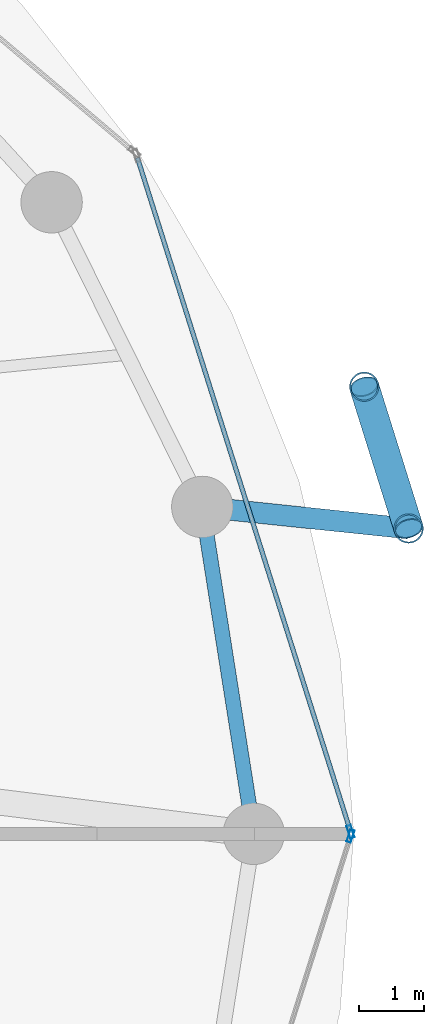
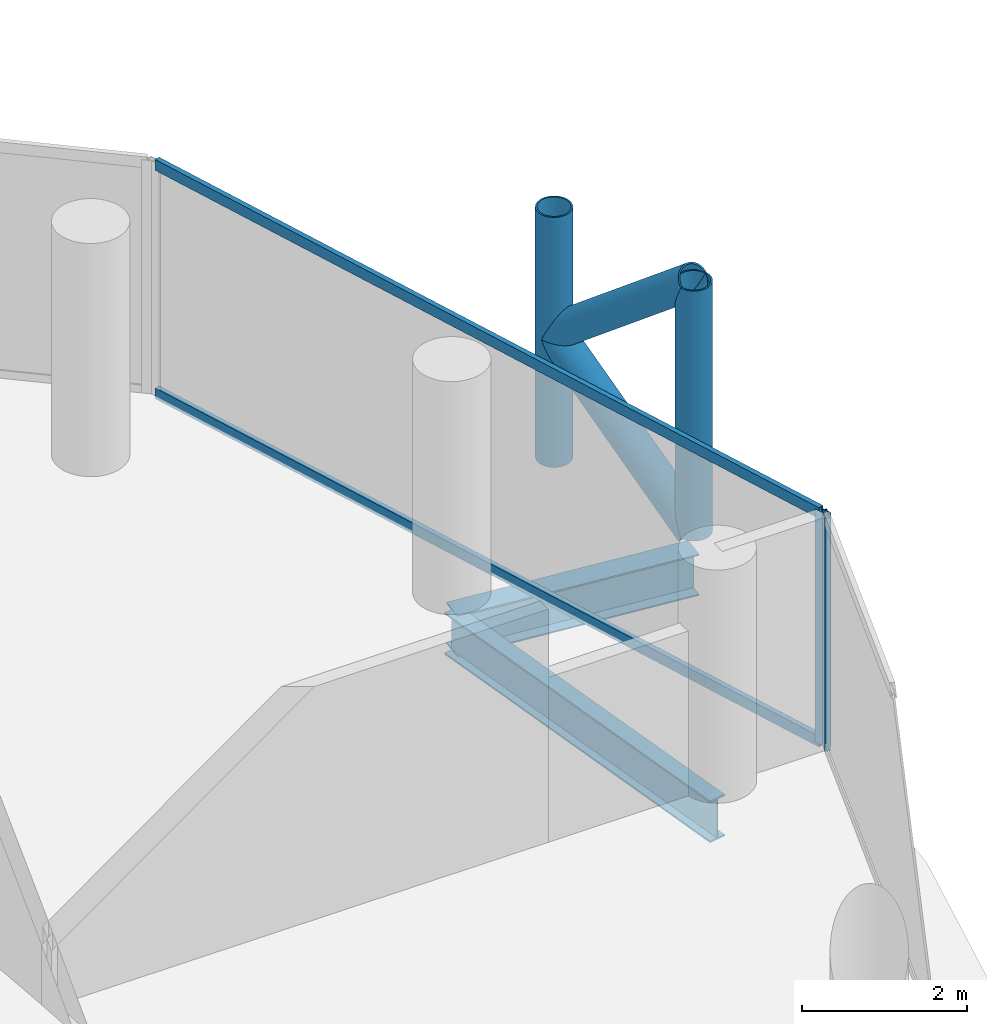
# One storey, part 12 of 26: 8 members, 2 beams, 2 elements without a shape of their own.
"""IFC4 building model written with IfcOpenShell, lengths in metres."""

from ifc_helpers import new_model, si_unit, direction, frame, origin, origin_2d, place, context, subcontext, project, spatial, hollow_rectangle, hollow_circle, i_section, extrude, material, layer, layer_set, material_profile, profile_set, type_object, element, aggregate, save


model = new_model("IFC4")

# Units and contexts
model_context = context("Model", 3, precision=1e-05, world=origin(), true_north=direction((0.0, 1.0)))
body_context = subcontext(model_context, "Body", "Model", "MODEL_VIEW")
ifc_project = project(units=[si_unit("LENGTHUNIT", "METRE"), si_unit("AREAUNIT", "SQUARE_METRE"), si_unit("VOLUMEUNIT", "CUBIC_METRE"), si_unit("PLANEANGLEUNIT", "RADIAN"), si_unit("MASSUNIT", "GRAM", prefix="KILO")], contexts=[model_context])

# Site, building, storey
site_placement = place(None, origin())
site = spatial("IfcSite", under=ifc_project, at=site_placement, CompositionType="ELEMENT")
building_placement = place(site_placement, origin())
building = spatial("IfcBuilding", under=site, at=building_placement, Name="Nuhasar Tower", CompositionType="ELEMENT")
storey_placement = place(building_placement, frame((0.0, 0.0, 155.25)))
storey = spatial("IfcBuildingStorey", under=building, at=storey_placement, Name="L37", CompositionType="ELEMENT", Elevation=155.25)

# Beams
ifc_material_1 = material(Name="Steel S355", Category="steel")
ifc_material_profile_1 = material_profile(ifc_material_1, i_section(OverallWidth=0.22998046875, OverallDepth=0.616943359375, WebThickness=0.01318359375, FlangeThickness=0.022216796875, at=origin_2d()), Name="W24X94")
ifc_profile_set_1 = profile_set([ifc_material_profile_1], Name="Steel S355")
beam_type_1 = type_object("IfcBeamType", Name="BM-RING-W24X94", PredefinedType="SPANDREL", material=ifc_profile_set_1)
beam_1_placement = place(storey_placement, frame((62.35009765625, 26.800048828125, -0.55908203125), z_axis=(-0.155426543608, 0.987847452566, 0.0), x_axis=(-0.987847452566, -0.155426543608, 0.0)))
element("IfcBeam", 1, at=beam_1_placement, inside=storey, type_object=beam_type_1, Name="L37 Perimeter Ring Spandrel 01", PredefinedType="SPANDREL", context=body_context, shape_type="SweptSolid", body=[
    extrude(i_section(OverallWidth=0.22998046875, OverallDepth=0.616943359375, WebThickness=0.01318359375, FlangeThickness=0.022216796875, at=origin_2d()), origin(), (0.0, 0.0, 1.0), 5.122314453125),
])
ifc_material_profile_2 = material_profile(ifc_material_1, i_section(OverallWidth=0.323974609375, OverallDepth=0.611083984375, WebThickness=0.0126953125, FlangeThickness=0.01904296875, at=origin_2d()), Name="W24X104")
ifc_profile_set_2 = profile_set([ifc_material_profile_2], Name="Steel S355")
beam_type_2 = type_object("IfcBeamType", Name="BM-TIE-W24X104", PredefinedType="BEAM", material=ifc_profile_set_2)
beam_2_placement = place(storey_placement, frame((61.553955078125, 31.860107421875, -0.554931640625), z_axis=(0.994569828715, -0.104071397654, 0.0), x_axis=(0.104071397654, 0.994569828715, 0.0)))
element("IfcBeam", 2, at=beam_2_placement, inside=storey, type_object=beam_type_2, Name="L37 Exoskeleton Node Tie Beam 01", PredefinedType="BEAM", context=body_context, shape_type="SweptSolid", body=[
    extrude(i_section(OverallWidth=0.323974609375, OverallDepth=0.611083984375, WebThickness=0.0126953125, FlangeThickness=0.01904296875, at=origin_2d()), origin(), (0.0, 0.0, 1.0), 3.21142578125),
])

# Curtain wall, member
ifc_material_2 = material(Name="Aluminium 6063-T6", Category="aluminium")
ifc_layer = layer(ifc_material_2, 0.199951171875)
ifc_layer_set = layer_set([ifc_layer], Name="Aluminium 6063-T6")
curtain_wall_type = type_object("IfcCurtainWallType", Name="CW-Z2-HTL", PredefinedType="NOTDEFINED", material=ifc_layer_set)
curtain_wall_1_placement = place(storey_placement, origin())
curtain_wall_1 = element("IfcCurtainWall", 3, at=curtain_wall_1_placement, inside=storey, type_object=curtain_wall_type, Name="L37 Unitised Curtain Wall 01", PredefinedType="NOTDEFINED")
ifc_material_profile_3 = material_profile(ifc_material_2, hollow_rectangle(XDim=0.070068359375, YDim=0.199951171875, WallThickness=0.0048828125, at=origin_2d()), Name="CWM-3")
ifc_profile_set_3 = profile_set([ifc_material_profile_3], Name="Aluminium 6063-T6")
member_type_1 = type_object("IfcMemberType", Name="CW-MUL-S3", PredefinedType="MULLION", material=ifc_profile_set_3)
member_1_placement = place(storey_placement, frame((63.849365234375, 26.833251953125, 0.0), z_axis=(0.0, 0.0, 1.0), x_axis=(-0.953433389233, -0.301603667577, 0.0)))
member_1 = element("IfcMember", 4, at=member_1_placement, type_object=member_type_1, Name="CW-Z2 mullion 1", PredefinedType="MULLION", context=body_context, shape_type="SweptSolid", body=[
    extrude(hollow_rectangle(XDim=0.070068359375, YDim=0.199951171875, WallThickness=0.0048828125, at=origin_2d()), origin(), (0.0, 0.0, 1.0), 3.449951171875),
])

curtain_wall_2_placement = place(storey_placement, origin())
curtain_wall_2 = element("IfcCurtainWall", 5, at=curtain_wall_2_placement, inside=storey, type_object=curtain_wall_type, Name="L37 Unitised Curtain Wall 12", PredefinedType="NOTDEFINED")
member_2_placement = place(storey_placement, frame((63.849365234375, 26.7666015625, 0.0), z_axis=(0.0, 0.0, 1.0), x_axis=(-0.953433389233, 0.301603667577, 0.0)))
member_2 = element("IfcMember", 6, at=member_2_placement, type_object=member_type_1, Name="CW-Z2 mullion 2", PredefinedType="MULLION", context=body_context, shape_type="SweptSolid", body=[
    extrude(hollow_rectangle(XDim=0.070068359375, YDim=0.199951171875, WallThickness=0.0048828125, at=origin_2d()), origin(), (0.0, 0.0, 1.0), 3.449951171875),
])
aggregate(curtain_wall_2, [member_2])

# Member
ifc_material_profile_4 = material_profile(ifc_material_2, hollow_rectangle(XDim=0.070068359375, YDim=0.159912109375, WallThickness=0.00439453125, at=origin_2d()), Name="CWT-3")
ifc_profile_set_4 = profile_set([ifc_material_profile_4], Name="Aluminium 6063-T6")
member_type_2 = type_object("IfcMemberType", Name="CW-TRN-S3", PredefinedType="USERDEFINED", material=ifc_profile_set_4)
member_3_placement = place(storey_placement, frame((63.8388671875, 26.86669921875, 0.034912109375), z_axis=(-0.301608163352, 0.953431967053, 0.0), x_axis=(-0.953431967053, -0.301608163352, 0.0)))
member_3 = element("IfcMember", 7, at=member_3_placement, type_object=member_type_2, Name="CW-Z2 transom 1.1", ObjectType="TRANSOM", PredefinedType="USERDEFINED", context=body_context, shape_type="SweptSolid", body=[
    extrude(hollow_rectangle(XDim=0.070068359375, YDim=0.159912109375, WallThickness=0.00439453125, at=origin_2d()), origin(), (0.0, 0.0, 1.0), 10.904296875),
])

member_4_placement = place(storey_placement, frame((63.8388671875, 26.86669921875, 3.4150390625), z_axis=(-0.301608163352, 0.953431967053, 0.0), x_axis=(-0.953431967053, -0.301608163352, 0.0)))
member_4 = element("IfcMember", 8, at=member_4_placement, type_object=member_type_2, Name="CW-Z2 transom 1.2", ObjectType="TRANSOM", PredefinedType="USERDEFINED", context=body_context, shape_type="SweptSolid", body=[
    extrude(hollow_rectangle(XDim=0.070068359375, YDim=0.159912109375, WallThickness=0.00439453125, at=origin_2d()), origin(), (0.0, 0.0, 1.0), 10.904296875),
])

aggregate(curtain_wall_1, [member_1, member_3, member_4])

# Members
ifc_material_3 = material(Name="Steel S460", Category="steel")
ifc_material_profile_5 = material_profile(ifc_material_3, hollow_circle(Radius=0.228515625, WallThickness=0.022216796875, at=origin_2d()), Name="HSS457X22.2")
ifc_profile_set_5 = profile_set([ifc_material_profile_5], Name="Steel S460")
member_type_3 = type_object("IfcMemberType", Name="EXO-BRONZE-457", PredefinedType="BRACE", material=ifc_profile_set_5)
for number, where, z_axis, x_axis, name in (
    (9, (64.748046875, 31.52587890625, 0.0), (0.0, 0.0, 1.0), (1.0, 0.0, 0.0), "L37 Exoskeleton Chord Column EC-01A"),
    (10, (64.06005859375, 33.720947265625, 0.0), (0.0, 0.0, 1.0), (1.0, 0.0, 0.0), "L37 Exoskeleton Chord Column EC-01B"),
):
    element("IfcMember", number, at=place(storey_placement, frame(where, z_axis=z_axis, x_axis=x_axis)), inside=storey, type_object=member_type_3, Name=name, PredefinedType="BRACE", context=body_context, shape_type="SweptSolid", body=[
        extrude(hollow_circle(Radius=0.228515625, WallThickness=0.022216796875, at=origin_2d()), origin(), (0.0, 0.0, 1.0), 3.699951171875),
    ])
member_5_placement = place(storey_placement, frame((64.748046875, 31.52587890625, 0.0), z_axis=(-0.233055548538, 0.743577869731, 0.626719285599), x_axis=(-0.954228474306, -0.29907861646, 0.0)))
element("IfcMember", 11, at=member_5_placement, inside=storey, type_object=member_type_3, Name="L37 Bronze Diagrid Brace W1-01", PredefinedType="BRACE", context=body_context, shape_type="SweptSolid", body=[
    extrude(hollow_circle(Radius=0.228515625, WallThickness=0.022216796875, at=origin_2d()), origin(), (0.0, 0.0, 1.0), 2.9521484375),
])
member_6_placement = place(storey_placement, frame((64.06005859375, 33.720947265625, 1.85009765625), z_axis=(0.233067628236, -0.74361641074, 0.626669062861), x_axis=(0.954228474306, 0.29907861646, 0.0)))
element("IfcMember", 12, at=member_6_placement, inside=storey, type_object=member_type_3, Name="L37 Bronze Diagrid Brace W2-01", PredefinedType="BRACE", context=body_context, shape_type="SweptSolid", body=[
    extrude(hollow_circle(Radius=0.228515625, WallThickness=0.022216796875, at=origin_2d()), origin(), (0.0, 0.0, 1.0), 2.951904296875),
])

save(model, "model.ifc")
